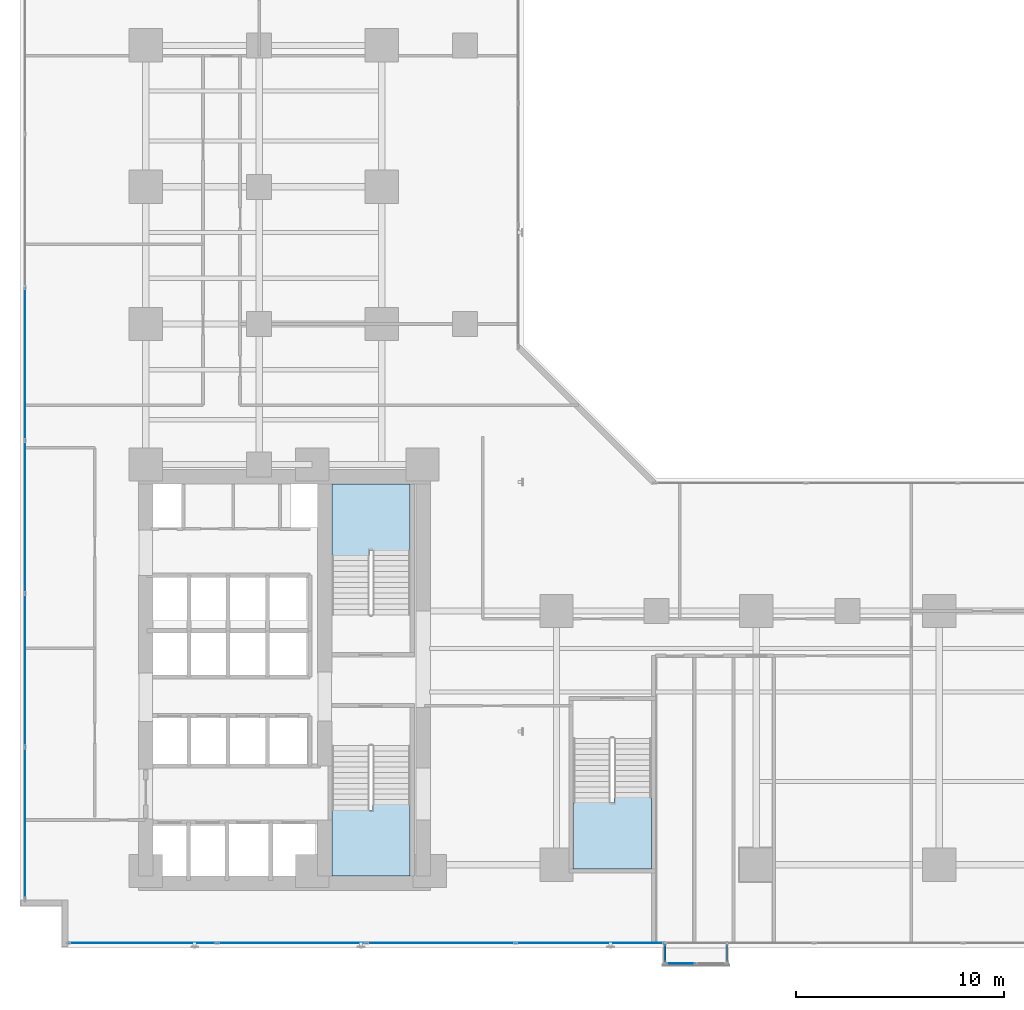
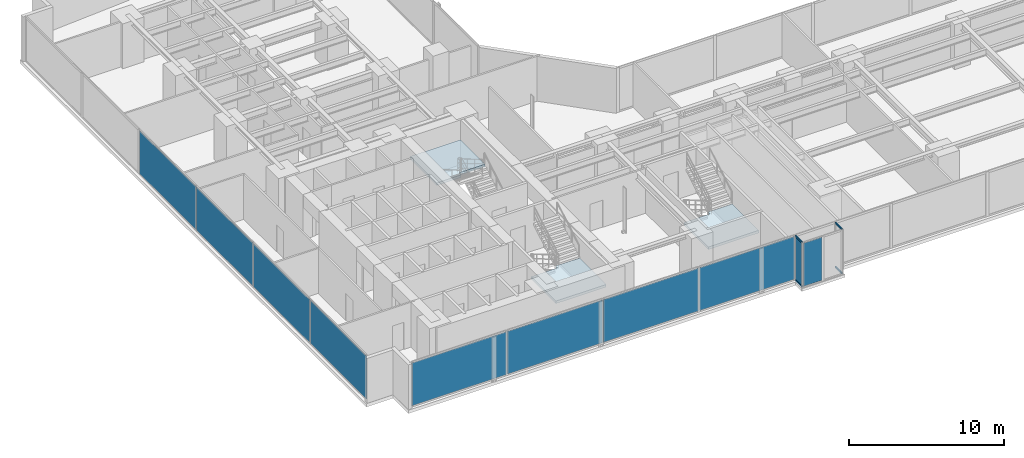
# One storey, part 20 of 29: 10 plates, 4 members, 3 slabs, 8 elements without a shape of their own.
"""IFC4 building model written with IfcOpenShell, lengths in metres."""

from ifc_helpers import new_model, si_unit, direction, frame, origin, origin_with_axes, origin_2d, place, context, subcontext, project, spatial, polyline, rectangle, hollow_rectangle, outline, extrude, source, transform, mapped, material, layer, layer_set, material_profile, profile_set, type_object, element, aggregate, save


model = new_model("IFC4")

# Units and contexts
model_context = context("Model", 3, precision=1e-05, world=origin(), true_north=direction((0.0, 1.0)))
body_context = subcontext(model_context, "Body", "Model", "MODEL_VIEW")
ifc_project = project(units=[si_unit("LENGTHUNIT", "METRE"), si_unit("AREAUNIT", "SQUARE_METRE"), si_unit("VOLUMEUNIT", "CUBIC_METRE"), si_unit("PLANEANGLEUNIT", "RADIAN"), si_unit("MASSUNIT", "GRAM", prefix="KILO")], contexts=[model_context])

# Site, building, storey
site_placement = place(None, origin())
site = spatial("IfcSite", under=ifc_project, at=site_placement, CompositionType="ELEMENT")
building_placement = place(site_placement, origin())
building = spatial("IfcBuilding", under=site, at=building_placement, Name="Kolvaren Waterfront Exchange", CompositionType="ELEMENT")
storey_placement = place(building_placement, frame((0.0, 0.0, 37.199951171875)))
storey = spatial("IfcBuildingStorey", under=building, at=storey_placement, Name="L09", CompositionType="ELEMENT", Elevation=37.199951171875)

# Curtain wall, members
ifc_material_1 = material(Name="Anodised bronze aluminium 6063-T6", Category="aluminium")
ifc_layer_1 = layer(ifc_material_1, 0.219970703125, Name="Anodised bronze aluminium 6063-T6")
ifc_layer_set_1 = layer_set([ifc_layer_1], Name="Anodised bronze aluminium 6063-T6")
curtain_wall_type_1 = type_object("IfcCurtainWallType", Name="ARC-CW-SYS3", PredefinedType="USERDEFINED", material=ifc_layer_set_1)
curtain_wall_1_placement = place(storey_placement, origin())
curtain_wall_1 = element("IfcCurtainWall", 1, at=curtain_wall_1_placement, inside=storey, type_object=curtain_wall_type_1, Name="L09 stick curtain wall CW3 (CW-L09-BOX-W)", ObjectType="STICK CURTAIN WALL", PredefinedType="USERDEFINED")
ifc_material_profile = material_profile(ifc_material_1, hollow_rectangle(XDim=0.06494140625, YDim=0.1298828125, WallThickness=0.00390625, at=origin_2d()), Name="ALU-TRN-130x65x4")
ifc_profile_set = profile_set([ifc_material_profile], Name="Anodised bronze aluminium 6063-T6")
member_type = type_object("IfcMemberType", Name="ARC-CWT-130", PredefinedType="USERDEFINED", material=ifc_profile_set)
shared_shape_1 = source(origin_with_axes(), body_context, "Body", "SweptSolid", [
    extrude(hollow_rectangle(XDim=0.06494140625, YDim=0.1298828125, WallThickness=0.00390625, at=origin_2d()), origin(), (0.0, 0.0, 1.0), 0.830078125),
])
member_1_placement = place(storey_placement, frame((32.409912109375, 1.364990234375, 0.032470703125), z_axis=(0.0, -1.0, 0.0), x_axis=(1.0, 0.0, 0.0)))
member_1 = element("IfcMember", 2, at=member_1_placement, type_object=member_type, Name="CW3 transom 1.1", ObjectType="TRANSOM", PredefinedType="USERDEFINED", context=body_context, shape_type="MappedRepresentation", body=[
    mapped(shared_shape_1, transform((0.0, 0.0, 0.0), x_axis=(1.0, 0.0, 0.0), y_axis=(0.0, 1.0, 0.0), z_axis=(0.0, 0.0, 1.0), scale=1.0)),
])
member_2_placement = place(storey_placement, frame((32.409912109375, 1.364990234375, 3.507568359375), z_axis=(0.0, -1.0, 0.0), x_axis=(1.0, 0.0, 0.0)))
member_2 = element("IfcMember", 3, at=member_2_placement, type_object=member_type, Name="CW3 transom 1.2", ObjectType="TRANSOM", PredefinedType="USERDEFINED", context=body_context, shape_type="MappedRepresentation", body=[
    mapped(shared_shape_1, transform((0.0, 0.0, 0.0), x_axis=(1.0, 0.0, 0.0), y_axis=(0.0, 1.0, 0.0), z_axis=(0.0, 0.0, 1.0), scale=1.0)),
])

curtain_wall_2_placement = place(storey_placement, origin())
curtain_wall_2 = element("IfcCurtainWall", 4, at=curtain_wall_2_placement, inside=storey, type_object=curtain_wall_type_1, Name="L09 stick curtain wall CW3 (CW-L09-BOX-E)", ObjectType="STICK CURTAIN WALL", PredefinedType="USERDEFINED")
member_3_placement = place(storey_placement, frame((35.389892578125, 0.534912109375, 0.032470703125), z_axis=(0.0, 1.0, 0.0), x_axis=(-1.0, 0.0, 0.0)))
member_3 = element("IfcMember", 5, at=member_3_placement, type_object=member_type, Name="CW3 transom 1.1", ObjectType="TRANSOM", PredefinedType="USERDEFINED", context=body_context, shape_type="MappedRepresentation", body=[
    mapped(shared_shape_1, transform((0.0, 0.0, 0.0), x_axis=(1.0, 0.0, 0.0), y_axis=(0.0, 1.0, 0.0), z_axis=(0.0, 0.0, 1.0), scale=1.0)),
])
member_4_placement = place(storey_placement, frame((35.389892578125, 0.534912109375, 3.507568359375), z_axis=(0.0, 1.0, 0.0), x_axis=(-1.0, 0.0, 0.0)))
member_4 = element("IfcMember", 6, at=member_4_placement, type_object=member_type, Name="CW3 transom 1.2", ObjectType="TRANSOM", PredefinedType="USERDEFINED", context=body_context, shape_type="MappedRepresentation", body=[
    mapped(shared_shape_1, transform((0.0, 0.0, 0.0), x_axis=(1.0, 0.0, 0.0), y_axis=(0.0, 1.0, 0.0), z_axis=(0.0, 0.0, 1.0), scale=1.0)),
])
aggregate(curtain_wall_2, [member_3, member_4])

# Stair, slab
ifc_material_2 = material(Name="Concrete C40/50", Category="concrete")
stair_type = type_object("IfcStairType", Name="ARC-STAIR-3800", PredefinedType="HALF_TURN_STAIR", material=ifc_material_2)
stair_1_placement = place(storey_placement, origin())
stair_1 = element("IfcStair", 7, at=stair_1_placement, inside=storey, type_object=stair_type, Name="L09 Smoke-proof exit stair ST1", PredefinedType="HALF_TURN_STAIR")
ifc_layer_2 = layer(ifc_material_2, 0.199951171875, Name="Concrete C40/50")
ifc_layer_set_2 = layer_set([ifc_layer_2], Name="Concrete C40/50")
slab_type = type_object("IfcSlabType", Name="STR-LANDING-200", PredefinedType="LANDING", material=ifc_layer_set_2)
slab_1_placement = place(storey_placement, frame((0.0, 0.0, 1.776123046875)))
slab_1 = element("IfcSlab", 8, at=slab_1_placement, type_object=slab_type, Name="ST1 landing 1", PredefinedType="LANDING", context=body_context, shape_type="SweptSolid", body=[
    extrude(outline(polyline([(16.39990234375, 7.840087890625), (16.39990234375, 4.64990234375), (20.159912109375, 4.64990234375), (20.159912109375, 8.10009765625), (18.360107421875, 8.10009765625), (18.360107421875, 7.840087890625), (16.39990234375, 7.840087890625)])), origin(), (0.0, 0.0, 1.0), 0.199951171875),
])
aggregate(stair_1, [slab_1])

stair_2_placement = place(storey_placement, origin())
stair_2 = element("IfcStair", 9, at=stair_2_placement, inside=storey, type_object=stair_type, Name="L09 Smoke-proof exit stair ST2", PredefinedType="HALF_TURN_STAIR")
slab_2_placement = place(storey_placement, frame((0.0, 0.0, 1.776123046875)))
slab_2 = element("IfcSlab", 10, at=slab_2_placement, type_object=slab_type, Name="ST2 landing 1", PredefinedType="LANDING", context=body_context, shape_type="SweptSolid", body=[
    extrude(outline(polyline([(20.159912109375, 20.31005859375), (20.159912109375, 23.5), (16.39990234375, 23.5), (16.39990234375, 20.050048828125), (18.199951171875, 20.050048828125), (18.199951171875, 20.31005859375), (20.159912109375, 20.31005859375)])), origin(), (0.0, 0.0, 1.0), 0.199951171875),
])
aggregate(stair_2, [slab_2])

stair_3_placement = place(storey_placement, origin())
stair_3 = element("IfcStair", 11, at=stair_3_placement, inside=storey, type_object=stair_type, Name="L09 Exit stair ST3", PredefinedType="HALF_TURN_STAIR")
slab_3_placement = place(storey_placement, frame((0.0, 0.0, 1.776123046875)))
slab_3 = element("IfcSlab", 12, at=slab_3_placement, type_object=slab_type, Name="ST3 landing 1", PredefinedType="LANDING", context=body_context, shape_type="SweptSolid", body=[
    extrude(outline(polyline([(28.0, 8.18994140625), (28.0, 5.0), (31.760009765625, 5.0), (31.760009765625, 8.449951171875), (29.9599609375, 8.449951171875), (29.9599609375, 8.18994140625), (28.0, 8.18994140625)])), origin(), (0.0, 0.0, 1.0), 0.199951171875),
])
aggregate(stair_3, [slab_3])

# Curtain wall, plates
ifc_layer_3 = layer(ifc_material_1, 0.219970703125, Name="Anodised bronze aluminium 6063-T6")
ifc_layer_set_3 = layer_set([ifc_layer_3], Name="Anodised bronze aluminium 6063-T6")
curtain_wall_type_2 = type_object("IfcCurtainWallType", Name="ARC-CW-SYS1", PredefinedType="USERDEFINED", material=ifc_layer_set_3)
curtain_wall_3_placement = place(storey_placement, origin())
curtain_wall_3 = element("IfcCurtainWall", 13, at=curtain_wall_3_placement, inside=storey, type_object=curtain_wall_type_2, Name="L09 stick curtain wall CW1 (CW-L09-S)", ObjectType="STICK CURTAIN WALL", PredefinedType="USERDEFINED")
ifc_material_3 = material(Name="Bronze solar control vision glass", Category="aluminium")
ifc_layer_4 = layer(ifc_material_3, 0.028076171875, Name="Bronze solar control vision glass")
ifc_layer_set_4 = layer_set([ifc_layer_4], Name="Bronze solar control vision glass")
plate_type_1 = type_object("IfcPlateType", Name="ARC-CWP-28", PredefinedType="CURTAIN_PANEL", material=ifc_layer_set_4)
shared_shape_2 = source(origin_with_axes(), body_context, "Body", "SweptSolid", [
    extrude(rectangle(XDim=7.054931640625, YDim=0.028076171875, at=origin_2d()), origin(), (0.0, 0.0, 1.0), 3.389892578125),
])
plate_1_placement = place(storey_placement, frame((7.3076171875, 1.43994140625, 0.0751953125), z_axis=(0.0, 0.0, 1.0), x_axis=(1.0, 0.0, 0.0)))
plate_1 = element("IfcPlate", 14, at=plate_1_placement, type_object=plate_type_1, Name="CW1 panel 1.1", PredefinedType="CURTAIN_PANEL", context=body_context, shape_type="MappedRepresentation", body=[
    mapped(shared_shape_2, transform((0.0, 0.0, 0.0), x_axis=(1.0, 0.0, 0.0), y_axis=(0.0, 1.0, 0.0), z_axis=(0.0, 0.0, 1.0), scale=1.0)),
])
shared_shape_3 = source(origin_with_axes(), body_context, "Body", "SweptSolid", [
    extrude(rectangle(XDim=7.094970703125, YDim=0.028076171875, at=origin_2d()), origin(), (0.0, 0.0, 1.0), 3.389892578125),
])
plate_2_placement = place(storey_placement, frame((14.46240234375, 1.43994140625, 0.0751953125), z_axis=(0.0, 0.0, 1.0), x_axis=(1.0, 0.0, 0.0)))
plate_2 = element("IfcPlate", 15, at=plate_2_placement, type_object=plate_type_1, Name="CW1 panel 2.1", PredefinedType="CURTAIN_PANEL", context=body_context, shape_type="MappedRepresentation", body=[
    mapped(shared_shape_3, transform((0.0, 0.0, 0.0), x_axis=(1.0, 0.0, 0.0), y_axis=(0.0, 1.0, 0.0), z_axis=(0.0, 0.0, 1.0), scale=1.0)),
])
plate_3_placement = place(storey_placement, frame((21.637451171875, 1.43994140625, 0.0751953125), z_axis=(0.0, 0.0, 1.0), x_axis=(1.0, 0.0, 0.0)))
plate_3 = element("IfcPlate", 16, at=plate_3_placement, type_object=plate_type_1, Name="CW1 panel 3.1", PredefinedType="CURTAIN_PANEL", context=body_context, shape_type="MappedRepresentation", body=[
    mapped(shared_shape_3, transform((0.0, 0.0, 0.0), x_axis=(1.0, 0.0, 0.0), y_axis=(0.0, 1.0, 0.0), z_axis=(0.0, 0.0, 1.0), scale=1.0)),
])
plate_4_placement = place(storey_placement, frame((28.8125, 1.43994140625, 0.0751953125), z_axis=(0.0, 0.0, 1.0), x_axis=(1.0, 0.0, 0.0)))
plate_4 = element("IfcPlate", 17, at=plate_4_placement, type_object=plate_type_1, Name="CW1 panel 4.1", PredefinedType="CURTAIN_PANEL", context=body_context, shape_type="MappedRepresentation", body=[
    mapped(shared_shape_3, transform((0.0, 0.0, 0.0), x_axis=(1.0, 0.0, 0.0), y_axis=(0.0, 1.0, 0.0), z_axis=(0.0, 0.0, 1.0), scale=1.0)),
])
aggregate(curtain_wall_3, [plate_1, plate_2, plate_3, plate_4])

ifc_material_4 = material(Name="Anodised aluminium 6063-T6", Category="aluminium")
ifc_layer_5 = layer(ifc_material_4, 0.219970703125, Name="Anodised aluminium 6063-T6")
ifc_layer_set_5 = layer_set([ifc_layer_5], Name="Anodised aluminium 6063-T6")
curtain_wall_type_3 = type_object("IfcCurtainWallType", Name="ARC-CW-SYS2", PredefinedType="USERDEFINED", material=ifc_layer_set_5)
curtain_wall_4_placement = place(storey_placement, origin())
curtain_wall_4 = element("IfcCurtainWall", 18, at=curtain_wall_4_placement, inside=storey, type_object=curtain_wall_type_3, Name="L09 stick curtain wall CW2 (CW-L09-W)", ObjectType="STICK CURTAIN WALL", PredefinedType="USERDEFINED")
ifc_material_5 = material(Name="Acoustic laminated vision glass", Category="glass")
ifc_layer_6 = layer(ifc_material_5, 0.031982421875, Name="Acoustic laminated vision glass")
ifc_layer_set_6 = layer_set([ifc_layer_6], Name="Acoustic laminated vision glass")
plate_type_2 = type_object("IfcPlateType", Name="ARC-CWP-32", PredefinedType="CURTAIN_PANEL", material=ifc_layer_set_6)
shared_shape_4 = source(origin_with_axes(), body_context, "Body", "SweptSolid", [
    extrude(rectangle(XDim=7.24658203125, YDim=0.031982421875, at=origin_2d()), origin(), (0.0, 0.0, 1.0), 3.389892578125),
])
plate_5_placement = place(storey_placement, frame((1.639892578125, 7.203369140625, 0.0751953125), z_axis=(0.0, 0.0, 1.0), x_axis=(0.0, 1.0, 0.0)))
plate_5 = element("IfcPlate", 19, at=plate_5_placement, type_object=plate_type_2, Name="CW2 panel 1.1", PredefinedType="CURTAIN_PANEL", context=body_context, shape_type="MappedRepresentation", body=[
    mapped(shared_shape_4, transform((0.0, 0.0, 0.0), x_axis=(1.0, 0.0, 0.0), y_axis=(0.0, 1.0, 0.0), z_axis=(0.0, 0.0, 1.0), scale=1.0)),
])
shared_shape_5 = source(origin_with_axes(), body_context, "Body", "SweptSolid", [
    extrude(rectangle(XDim=7.28662109375, YDim=0.031982421875, at=origin_2d()), origin(), (0.0, 0.0, 1.0), 3.389892578125),
])
plate_6_placement = place(storey_placement, frame((1.639892578125, 14.550048828125, 0.0751953125), z_axis=(0.0, 0.0, 1.0), x_axis=(0.0, 1.0, 0.0)))
plate_6 = element("IfcPlate", 20, at=plate_6_placement, type_object=plate_type_2, Name="CW2 panel 2.1", PredefinedType="CURTAIN_PANEL", context=body_context, shape_type="MappedRepresentation", body=[
    mapped(shared_shape_5, transform((0.0, 0.0, 0.0), x_axis=(1.0, 0.0, 0.0), y_axis=(0.0, 1.0, 0.0), z_axis=(0.0, 0.0, 1.0), scale=1.0)),
])
plate_7_placement = place(storey_placement, frame((1.639892578125, 21.916748046875, 0.0751953125), z_axis=(0.0, 0.0, 1.0), x_axis=(0.0, 1.0, 0.0)))
plate_7 = element("IfcPlate", 21, at=plate_7_placement, type_object=plate_type_2, Name="CW2 panel 3.1", PredefinedType="CURTAIN_PANEL", context=body_context, shape_type="MappedRepresentation", body=[
    mapped(shared_shape_5, transform((0.0, 0.0, 0.0), x_axis=(1.0, 0.0, 0.0), y_axis=(0.0, 1.0, 0.0), z_axis=(0.0, 0.0, 1.0), scale=1.0)),
])
plate_8_placement = place(storey_placement, frame((1.639892578125, 29.283447265625, 0.0751953125), z_axis=(0.0, 0.0, 1.0), x_axis=(0.0, 1.0, 0.0)))
plate_8 = element("IfcPlate", 22, at=plate_8_placement, type_object=plate_type_2, Name="CW2 panel 4.1", PredefinedType="CURTAIN_PANEL", context=body_context, shape_type="MappedRepresentation", body=[
    mapped(shared_shape_5, transform((0.0, 0.0, 0.0), x_axis=(1.0, 0.0, 0.0), y_axis=(0.0, 1.0, 0.0), z_axis=(0.0, 0.0, 1.0), scale=1.0)),
])
aggregate(curtain_wall_4, [plate_5, plate_6, plate_7, plate_8])

# Plate
ifc_material_6 = material(Name="Bronze tinted bay-box vision glass", Category="aluminium")
ifc_layer_7 = layer(ifc_material_6, 0.02392578125, Name="Bronze tinted bay-box vision glass")
ifc_layer_set_7 = layer_set([ifc_layer_7], Name="Bronze tinted bay-box vision glass")
plate_type_3 = type_object("IfcPlateType", Name="ARC-CWP-24", PredefinedType="CURTAIN_PANEL", material=ifc_layer_set_7)
shared_shape_6 = source(origin_with_axes(), body_context, "Body", "SweptSolid", [
    extrude(rectangle(XDim=0.830078125, YDim=0.02392578125, at=origin_2d()), origin(), (0.0, 0.0, 1.0), 3.409912109375),
])
plate_9_placement = place(storey_placement, frame((32.409912109375, 0.949951171875, 0.06494140625), z_axis=(0.0, 0.0, 1.0), x_axis=(0.0, -1.0, 0.0)))
plate_9 = element("IfcPlate", 23, at=plate_9_placement, type_object=plate_type_3, Name="CW3 panel 1.1", PredefinedType="CURTAIN_PANEL", context=body_context, shape_type="MappedRepresentation", body=[
    mapped(shared_shape_6, transform((0.0, 0.0, 0.0), x_axis=(1.0, 0.0, 0.0), y_axis=(0.0, 1.0, 0.0), z_axis=(0.0, 0.0, 1.0), scale=1.0)),
])

aggregate(curtain_wall_1, [member_1, member_2, plate_9])

# Curtain wall, plate
curtain_wall_5_placement = place(storey_placement, origin())
curtain_wall_5 = element("IfcCurtainWall", 24, at=curtain_wall_5_placement, inside=storey, type_object=curtain_wall_type_1, Name="L09 stick curtain wall CW3 (CW-L09-BOX)", ObjectType="STICK CURTAIN WALL", PredefinedType="USERDEFINED")
shared_shape_7 = source(origin_with_axes(), body_context, "Body", "SweptSolid", [
    extrude(rectangle(XDim=1.37744140625, YDim=0.02392578125, at=origin_2d()), origin(), (0.0, 0.0, 1.0), 3.409912109375),
])
plate_10_placement = place(storey_placement, frame((33.173828125, 0.4599609375, 0.06494140625), z_axis=(0.0, 0.0, 1.0), x_axis=(1.0, 0.0, 0.0)))
plate_10 = element("IfcPlate", 25, at=plate_10_placement, type_object=plate_type_3, Name="CW3 panel 1.1", PredefinedType="CURTAIN_PANEL", context=body_context, shape_type="MappedRepresentation", body=[
    mapped(shared_shape_7, transform((0.0, 0.0, 0.0), x_axis=(1.0, 0.0, 0.0), y_axis=(0.0, 1.0, 0.0), z_axis=(0.0, 0.0, 1.0), scale=1.0)),
])
aggregate(curtain_wall_5, [plate_10])

save(model, "model.ifc")
